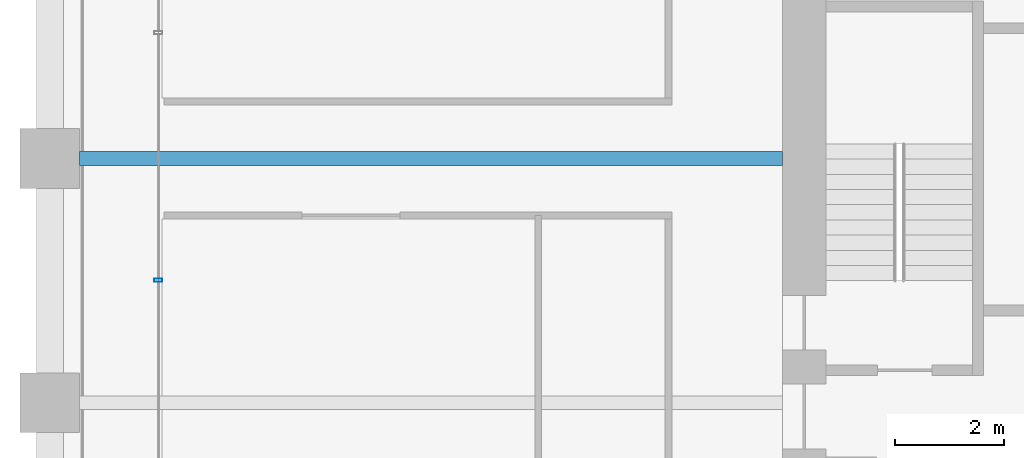
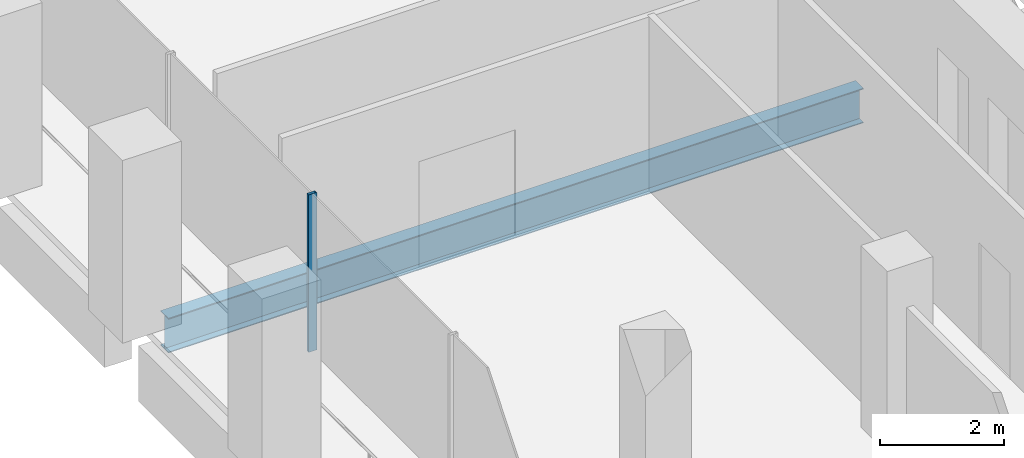
# One storey, part 11 of 54: 1 beam, 1 member, 1 element without a shape of its own.
"""IFC4 building model written with IfcOpenShell, lengths in metres."""

from ifc_helpers import new_model, si_unit, direction, frame, origin, origin_2d, place, context, subcontext, project, spatial, hollow_rectangle, i_section, extrude, material, material_profile, profile_set, type_object, element, aggregate, save


model = new_model("IFC4")

# Units and contexts
model_context = context("Model", 3, precision=1e-05, world=origin(), true_north=direction((0.0, 1.0)))
body_context = subcontext(model_context, "Body", "Model", "MODEL_VIEW")
ifc_project = project(units=[si_unit("LENGTHUNIT", "METRE"), si_unit("AREAUNIT", "SQUARE_METRE"), si_unit("VOLUMEUNIT", "CUBIC_METRE"), si_unit("PLANEANGLEUNIT", "RADIAN"), si_unit("MASSUNIT", "GRAM", prefix="KILO")], contexts=[model_context])

# Site, building, storey
site_placement = place(None, origin())
site = spatial("IfcSite", under=ifc_project, at=site_placement, CompositionType="ELEMENT")
building_placement = place(site_placement, origin())
building = spatial("IfcBuilding", under=site, at=building_placement, Name="Altepetl Exchange Towers", CompositionType="ELEMENT")
storey_placement = place(building_placement, frame((0.0, 0.0, 61.800048828125)))
storey = spatial("IfcBuildingStorey", under=building, at=storey_placement, Name="L14", CompositionType="ELEMENT", Elevation=61.800048828125)

# Beam
ifc_material_1 = material(Name="Steel S355", Category="steel")
ifc_material_profile_1 = material_profile(ifc_material_1, i_section(OverallWidth=0.25390625, OverallDepth=0.68408203125, WebThickness=0.012451171875, FlangeThickness=0.018798828125, at=origin_2d()), Name="W27X94")
ifc_profile_set_1 = profile_set([ifc_material_profile_1], Name="Steel S355")
beam_type = type_object("IfcBeamType", Name="Floor beam W27X94", PredefinedType="BEAM", material=ifc_profile_set_1)
beam_placement = place(storey_placement, frame((27.550048828125, 49.5, -0.491943359375), z_axis=(1.0, 0.0, 0.0), x_axis=(0.0, 1.0, 0.0)))
element("IfcBeam", 1, at=beam_placement, inside=storey, type_object=beam_type, Name="bm:A:L14:019", PredefinedType="BEAM", context=body_context, shape_type="SweptSolid", body=[
    extrude(i_section(OverallWidth=0.25390625, OverallDepth=0.68408203125, WebThickness=0.012451171875, FlangeThickness=0.018798828125, at=origin_2d()), origin(), (0.0, 0.0, 1.0), 12.949951171875),
])

# Curtain wall, member
ifc_material_2 = material(Name="Aluminium 6063-T6 glazing", Category="aluminium")
curtain_wall_type = type_object("IfcCurtainWallType", Name="Loggia glazing system", PredefinedType="NOTDEFINED", material=ifc_material_2)
curtain_wall_placement = place(storey_placement, origin())
curtain_wall = element("IfcCurtainWall", 2, at=curtain_wall_placement, inside=storey, type_object=curtain_wall_type, Name="CW1 run", PredefinedType="NOTDEFINED")
ifc_material_3 = material(Name="Aluminium 6063-T6", Category="aluminium")
ifc_material_profile_2 = material_profile(ifc_material_3, hollow_rectangle(XDim=0.06005859375, YDim=0.14990234375, WallThickness=0.0029296875, at=origin_2d()), Name="Mullion 60x150 aluminium")
ifc_profile_set_2 = profile_set([ifc_material_profile_2], Name="Aluminium 6063-T6")
member_type = type_object("IfcMemberType", Name="Mullion 60x150 aluminium", PredefinedType="MULLION", material=ifc_profile_set_2)
member_placement = place(storey_placement, frame((29.0, 47.257080078125, 0.0), z_axis=(0.0, 0.0, 1.0), x_axis=(0.0, -1.0, 0.0)))
member = element("IfcMember", 3, at=member_placement, type_object=member_type, Name="MU1 mullion", PredefinedType="MULLION", context=body_context, shape_type="SweptSolid", body=[
    extrude(hollow_rectangle(XDim=0.06005859375, YDim=0.14990234375, WallThickness=0.0029296875, at=origin_2d()), origin(), (0.0, 0.0, 1.0), 3.099853515625),
])
aggregate(curtain_wall, [member])

save(model, "model.ifc")
